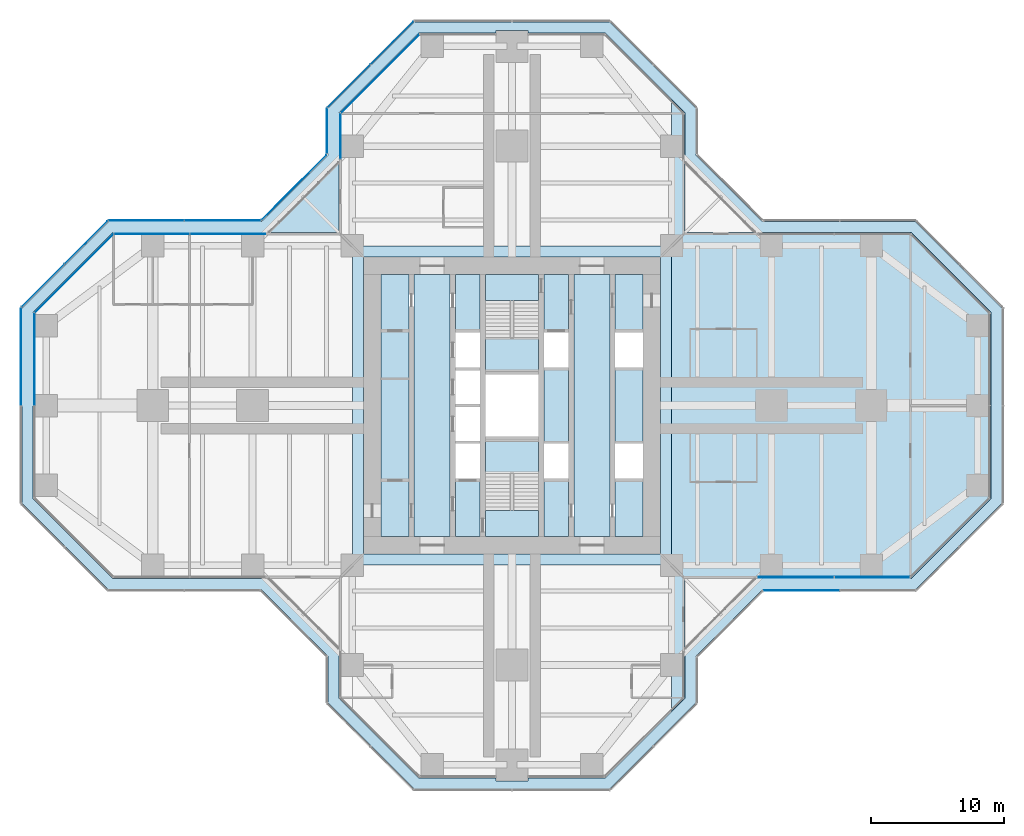
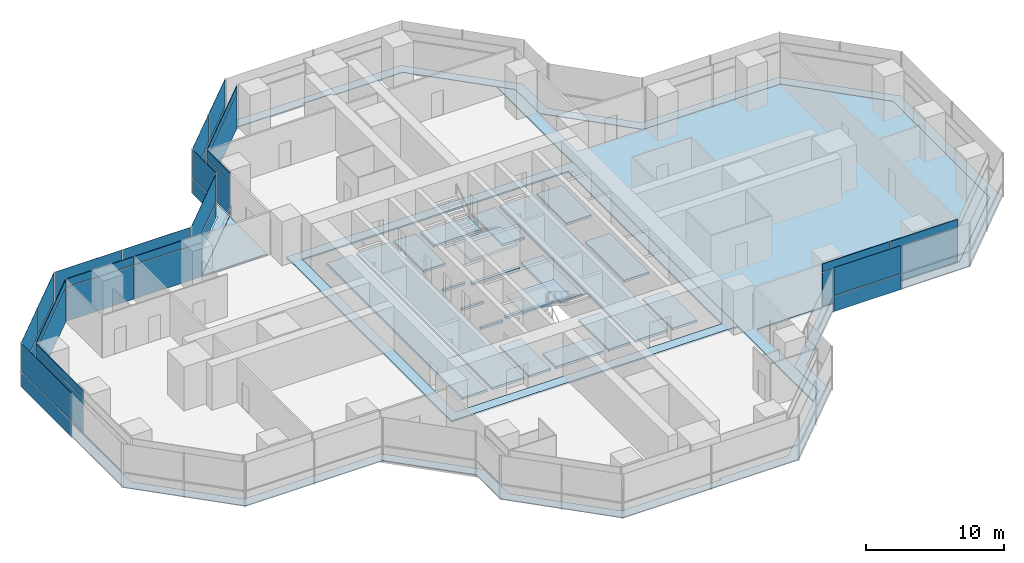
# One storey, part 13 of 19: 37 plates, 8 slabs, 15 elements without a shape of their own.
"""IFC4 building model written with IfcOpenShell, lengths in metres."""

from ifc_helpers import new_model, si_unit, direction, frame, origin, origin_2d, place, context, subcontext, project, spatial, polyline, rectangle, outline, extrude, material, layer, layer_set, type_object, element, aggregate, save


model = new_model("IFC4")

# Units and contexts
model_context = context("Model", 3, precision=1e-05, world=origin(), true_north=direction((0.0, 1.0)))
body_context = subcontext(model_context, "Body", "Model", "MODEL_VIEW")
ifc_project = project(units=[si_unit("LENGTHUNIT", "METRE"), si_unit("AREAUNIT", "SQUARE_METRE"), si_unit("VOLUMEUNIT", "CUBIC_METRE"), si_unit("PLANEANGLEUNIT", "RADIAN"), si_unit("MASSUNIT", "GRAM", prefix="KILO")], contexts=[model_context])

# Site, building, storey
site_placement = place(None, origin())
site = spatial("IfcSite", under=ifc_project, at=site_placement, CompositionType="ELEMENT")
building_placement = place(site_placement, origin())
building = spatial("IfcBuilding", under=site, at=building_placement, Name="Mizan Broadcast Tower", CompositionType="ELEMENT")
storey_placement = place(building_placement, frame((0.0, 0.0, 159.300048828125)))
storey = spatial("IfcBuildingStorey", under=building, at=storey_placement, Name="L36", CompositionType="ELEMENT", Elevation=159.300048828125)

# Plate
ifc_material_1 = material(Name="Aluminium grating", Category="aluminium")
ifc_layer_1 = layer(ifc_material_1, 0.050048828125)
ifc_layer_set_1 = layer_set([ifc_layer_1], Name="Aluminium grating")
plate_type_1 = type_object("IfcPlateType", Name="CAVITY GRATING", PredefinedType="USERDEFINED", material=ifc_layer_set_1)
plate_1_placement = place(storey_placement, frame((0.0, 0.0, -0.050048828125)))
element("IfcPlate", 1, at=plate_1_placement, inside=storey, type_object=plate_type_1, Name="Cavity grating L36", ObjectType="GRATING", PredefinedType="USERDEFINED", context=body_context, shape_type="SweptSolid", body=[
    extrude(outline(polyline([(13.820068359375, -18.839599609375), (18.839599609375, -13.820068359375), (30.339599609375, -13.820068359375), (36.820068359375, -7.339599609375), (36.820068359375, 7.339599609375), (30.339599609375, 13.820068359375), (18.839599609375, 13.820068359375), (13.820068359375, 18.839599609375), (13.820068359375, 22.339599609375), (7.339599609375, 28.820068359375), (-7.339599609375, 28.820068359375), (-13.820068359375, 22.339599609375), (-13.820068359375, 18.839599609375), (-18.839599609375, 13.820068359375), (-30.339599609375, 13.820068359375), (-36.820068359375, 7.339599609375), (-36.820068359375, -7.339599609375), (-30.339599609375, -13.820068359375), (-18.839599609375, -13.820068359375), (-13.820068359375, -18.839599609375), (-13.820068359375, -22.339599609375), (-7.339599609375, -28.820068359375), (7.339599609375, -28.820068359375), (13.820068359375, -22.339599609375), (13.820068359375, -18.839599609375)]), holes=[polyline([(36.0, 7.0), (36.0, -7.0), (30.0, -13.0), (18.5, -13.0), (13.0, -18.5), (13.0, -22.0), (7.0, -28.0), (1.199951171875, -28.0), (1.199951171875, -28.199951171875), (-1.199951171875, -28.199951171875), (-1.199951171875, -28.0), (-7.0, -28.0), (-13.0, -22.0), (-13.0, -18.5), (-18.5, -13.0), (-30.0, -13.0), (-36.0, -7.0), (-36.0, 7.0), (-30.0, 13.0), (-18.5, 13.0), (-13.0, 18.5), (-13.0, 22.0), (-7.0, 28.0), (-1.199951171875, 28.0), (-1.199951171875, 28.199951171875), (1.199951171875, 28.199951171875), (1.199951171875, 28.0), (7.0, 28.0), (13.0, 22.0), (13.0, 18.5), (18.5, 13.0), (30.0, 13.0), (36.0, 7.0)])]), origin(), (0.0, 0.0, 1.0), 0.050048828125),
])

# Slabs
ifc_material_2 = material(Name="Concrete C32/40", Category="concrete")
ifc_layer_2 = layer(ifc_material_2, 0.1298828125)
ifc_layer_set_2 = layer_set([ifc_layer_2], Name="Concrete C32/40")
slab_type_1 = type_object("IfcSlabType", Name="COMPOSITE DECK SLAB 130", PredefinedType="FLOOR", material=ifc_layer_set_2)
slab_1_placement = place(storey_placement, frame((0.0, 0.0, -0.130126953125)))
element("IfcSlab", 2, at=slab_1_placement, inside=storey, type_object=slab_type_1, Name="Floor slab L36 centre", PredefinedType="FLOOR", context=body_context, shape_type="SweptSolid", body=[
    extrude(outline(polyline([(-12.0, -12.0), (12.0, -12.0), (12.0, 12.0), (-12.0, 12.0), (-12.0, -12.0)]), holes=[polyline([(-11.14990234375, 11.14990234375), (11.14990234375, 11.14990234375), (11.14990234375, -11.14990234375), (-11.14990234375, -11.14990234375), (-11.14990234375, 11.14990234375)])]), origin(), (0.0, 0.0, 1.0), 0.130126953125),
])
slab_2_placement = place(storey_placement, frame((0.0, 0.0, -0.130126953125)))
element("IfcSlab", 3, at=slab_2_placement, inside=storey, type_object=slab_type_1, Name="Floor slab L36 east arm", PredefinedType="FLOOR", context=body_context, shape_type="SweptSolid", body=[
    extrude(outline(polyline([(12.0, -23.0), (13.0, -22.0), (13.0, -13.0), (30.0, -13.0), (36.0, -7.0), (36.0, 7.0), (30.0, 13.0), (13.0, 13.0), (13.0, 22.0), (12.0, 23.0), (12.0, -23.0)])), origin(), (0.0, 0.0, 1.0), 0.130126953125),
])
ifc_material_3 = material(Name="Concrete C40/50", Category="concrete")
ifc_layer_3 = layer(ifc_material_3, 0.199951171875)
ifc_layer_set_3 = layer_set([ifc_layer_3], Name="Concrete C40/50")
slab_type_2 = type_object("IfcSlabType", Name="CORE FLOOR 200", PredefinedType="FLOOR", material=ifc_layer_set_3)
slab_3_placement = place(storey_placement, frame((0.0, 0.0, -0.199951171875)))
element("IfcSlab", 4, at=slab_3_placement, inside=storey, type_object=slab_type_2, Name="Core floor L36", PredefinedType="FLOOR", context=body_context, shape_type="SweptSolid", body=[
    extrude(outline(polyline([(-9.85009765625, -9.85009765625), (-7.75, -9.85009765625), (-7.75, 9.85009765625), (-9.85009765625, 9.85009765625), (-9.85009765625, -9.85009765625)])), origin(), (0.0, 0.0, 1.0), 0.199951171875),
    extrude(outline(polyline([(-4.64990234375, 9.85009765625), (-7.35009765625, 9.85009765625), (-7.35009765625, -9.85009765625), (-4.64990234375, -9.85009765625), (-4.64990234375, 9.85009765625)])), origin(), (0.0, 0.0, 1.0), 0.199951171875),
    extrude(outline(polyline([(-4.25, -5.5), (-4.25, -9.85009765625), (-2.39990234375, -9.85009765625), (-2.39990234375, -5.5), (-4.25, -5.5)])), origin(), (0.0, 0.0, 1.0), 0.199951171875),
    extrude(outline(polyline([(-4.25, -2.85009765625), (-2.39990234375, -2.85009765625), (-2.39990234375, -2.64990234375), (-4.25, -2.64990234375), (-4.25, -2.85009765625)])), origin(), (0.0, 0.0, 1.0), 0.199951171875),
    extrude(outline(polyline([(-4.25, -0.10009765625), (-2.39990234375, -0.10009765625), (-2.39990234375, 0.10009765625), (-4.25, 0.10009765625), (-4.25, -0.10009765625)])), origin(), (0.0, 0.0, 1.0), 0.199951171875),
    extrude(outline(polyline([(-4.25, 2.64990234375), (-2.39990234375, 2.64990234375), (-2.39990234375, 2.85009765625), (-4.25, 2.85009765625), (-4.25, 2.64990234375)])), origin(), (0.0, 0.0, 1.0), 0.199951171875),
    extrude(outline(polyline([(-4.25, 5.5), (-2.39990234375, 5.5), (-2.39990234375, 9.85009765625), (-4.25, 9.85009765625), (-4.25, 5.5)])), origin(), (0.0, 0.0, 1.0), 0.199951171875),
    extrude(outline(polyline([(2.0, -2.324951171875), (-2.0, -2.324951171875), (-2.0, -2.574951171875), (2.0, -2.574951171875), (2.0, -2.324951171875)])), origin(), (0.0, 0.0, 1.0), 0.199951171875),
    extrude(outline(polyline([(2.0, 2.574951171875), (-2.0, 2.574951171875), (-2.0, 2.324951171875), (2.0, 2.324951171875), (2.0, 2.574951171875)])), origin(), (0.0, 0.0, 1.0), 0.199951171875),
    extrude(outline(polyline([(4.25, -9.85009765625), (4.25, -5.5), (2.39990234375, -5.5), (2.39990234375, -9.85009765625), (4.25, -9.85009765625)])), origin(), (0.0, 0.0, 1.0), 0.199951171875),
    extrude(outline(polyline([(4.25, -2.85009765625), (4.25, 2.85009765625), (2.39990234375, 2.85009765625), (2.39990234375, -2.85009765625), (4.25, -2.85009765625)])), origin(), (0.0, 0.0, 1.0), 0.199951171875),
    extrude(outline(polyline([(4.25, 5.5), (4.25, 9.85009765625), (2.39990234375, 9.85009765625), (2.39990234375, 5.5), (4.25, 5.5)])), origin(), (0.0, 0.0, 1.0), 0.199951171875),
    extrude(outline(polyline([(4.64990234375, 9.85009765625), (4.64990234375, -9.85009765625), (7.35009765625, -9.85009765625), (7.35009765625, 9.85009765625), (4.64990234375, 9.85009765625)])), origin(), (0.0, 0.0, 1.0), 0.199951171875),
    extrude(outline(polyline([(9.85009765625, -9.85009765625), (9.85009765625, -5.5), (7.75, -5.5), (7.75, -9.85009765625), (9.85009765625, -9.85009765625)])), origin(), (0.0, 0.0, 1.0), 0.199951171875),
    extrude(outline(polyline([(7.75, -2.85009765625), (9.85009765625, -2.85009765625), (9.85009765625, 2.85009765625), (7.75, 2.85009765625), (7.75, -2.85009765625)])), origin(), (0.0, 0.0, 1.0), 0.199951171875),
    extrude(outline(polyline([(9.85009765625, 5.5), (9.85009765625, 9.85009765625), (7.75, 9.85009765625), (7.75, 5.5), (9.85009765625, 5.5)])), origin(), (0.0, 0.0, 1.0), 0.199951171875),
])

# Curtain wall, plates
ifc_material_4 = material(Name="Aluminium framed glazing", Category="aluminium")
curtain_wall_type_1 = type_object("IfcCurtainWallType", Name="INNER SKIN MID ZONE", PredefinedType="USERDEFINED", material=ifc_material_4)
curtain_wall_1_placement = place(storey_placement, origin())
curtain_wall_1 = element("IfcCurtainWall", 5, at=curtain_wall_1_placement, inside=storey, type_object=curtain_wall_type_1, Name="Inner skin mid zone L36 E side", ObjectType="INNER SKIN MID ZONE", PredefinedType="USERDEFINED")
ifc_material_5 = material(Name="Double glazing, clear low-e", Category="glass")
ifc_layer_4 = layer(ifc_material_5, 0.028076171875)
ifc_layer_set_4 = layer_set([ifc_layer_4], Name="Double glazing, clear low-e")
plate_type_2 = type_object("IfcPlateType", Name="INNER SKIN GLAZING UNIT", PredefinedType="CURTAIN_PANEL", material=ifc_layer_set_4)
plate_2_placement = place(storey_placement, frame((21.379638671875, -12.89990234375, 0.0), z_axis=(0.0, 0.0, 1.0), x_axis=(1.0, 0.0, 0.0)))
plate_2 = element("IfcPlate", 6, at=plate_2_placement, type_object=plate_type_2, Name="Inner skin mid zone L36 E side panel 1.1", PredefinedType="CURTAIN_PANEL", context=body_context, shape_type="SweptSolid", body=[
    extrude(rectangle(XDim=5.639404296875, YDim=0.028076171875, at=origin_2d()), origin(), (0.0, 0.0, 1.0), 3.0),
])
plate_3_placement = place(storey_placement, frame((27.078857421875, -12.89990234375, 0.0), z_axis=(0.0, 0.0, 1.0), x_axis=(1.0, 0.0, 0.0)))
plate_3 = element("IfcPlate", 7, at=plate_3_placement, type_object=plate_type_2, Name="Inner skin mid zone L36 E side panel 2.1", PredefinedType="CURTAIN_PANEL", context=body_context, shape_type="SweptSolid", body=[
    extrude(rectangle(XDim=5.639404296875, YDim=0.028076171875, at=origin_2d()), origin(), (0.0, 0.0, 1.0), 3.0),
])

# Curtain wall, plate
curtain_wall_2_placement = place(storey_placement, origin())
curtain_wall_2 = element("IfcCurtainWall", 8, at=curtain_wall_2_placement, inside=storey, type_object=curtain_wall_type_1, Name="Inner skin mid zone L36 N chamfer", ObjectType="INNER SKIN MID ZONE", PredefinedType="USERDEFINED")
plate_4_placement = place(storey_placement, frame((-9.92919921875, 24.92919921875, 0.0), z_axis=(0.0, 0.0, 1.0), x_axis=(-0.707106781187, -0.707106781187, 0.0)))
plate_4 = element("IfcPlate", 9, at=plate_4_placement, type_object=plate_type_2, Name="Inner skin mid zone L36 N chamfer panel 1.1", PredefinedType="CURTAIN_PANEL", context=body_context, shape_type="SweptSolid", body=[
    extrude(rectangle(XDim=8.282470703125, YDim=0.028076171875, at=origin_2d()), origin(), (0.0, 0.0, 1.0), 3.0),
])

curtain_wall_3_placement = place(storey_placement, origin())
curtain_wall_3 = element("IfcCurtainWall", 10, at=curtain_wall_3_placement, inside=storey, type_object=curtain_wall_type_1, Name="Inner skin mid zone L36 N side", ObjectType="INNER SKIN MID ZONE", PredefinedType="USERDEFINED")
plate_5_placement = place(storey_placement, frame((-12.89990234375, 20.229248046875, 0.0), z_axis=(0.0, 0.0, 1.0), x_axis=(0.0, -1.0, 0.0)))
plate_5 = element("IfcPlate", 11, at=plate_5_placement, type_object=plate_type_2, Name="Inner skin mid zone L36 N side panel 1.1", PredefinedType="CURTAIN_PANEL", context=body_context, shape_type="SweptSolid", body=[
    extrude(rectangle(XDim=3.338623046875, YDim=0.028076171875, at=origin_2d()), origin(), (0.0, 0.0, 1.0), 3.0),
])

# Curtain wall, plates
curtain_wall_4_placement = place(storey_placement, origin())
curtain_wall_4 = element("IfcCurtainWall", 12, at=curtain_wall_4_placement, inside=storey, type_object=curtain_wall_type_1, Name="Inner skin mid zone L36 W side", ObjectType="INNER SKIN MID ZONE", PredefinedType="USERDEFINED")
plate_6_placement = place(storey_placement, frame((-21.379638671875, 12.89990234375, 0.0), z_axis=(0.0, 0.0, 1.0), x_axis=(-1.0, 0.0, 0.0)))
plate_6 = element("IfcPlate", 13, at=plate_6_placement, type_object=plate_type_2, Name="Inner skin mid zone L36 W side panel 1.1", PredefinedType="CURTAIN_PANEL", context=body_context, shape_type="SweptSolid", body=[
    extrude(rectangle(XDim=5.639404296875, YDim=0.028076171875, at=origin_2d()), origin(), (0.0, 0.0, 1.0), 3.0),
])
plate_7_placement = place(storey_placement, frame((-27.078857421875, 12.89990234375, 0.0), z_axis=(0.0, 0.0, 1.0), x_axis=(-1.0, 0.0, 0.0)))
plate_7 = element("IfcPlate", 14, at=plate_7_placement, type_object=plate_type_2, Name="Inner skin mid zone L36 W side panel 2.1", PredefinedType="CURTAIN_PANEL", context=body_context, shape_type="SweptSolid", body=[
    extrude(rectangle(XDim=5.639404296875, YDim=0.028076171875, at=origin_2d()), origin(), (0.0, 0.0, 1.0), 3.0),
])

# Curtain wall, plate
curtain_wall_5_placement = place(storey_placement, origin())
curtain_wall_5 = element("IfcCurtainWall", 15, at=curtain_wall_5_placement, inside=storey, type_object=curtain_wall_type_1, Name="Inner skin mid zone L36 W chamfer", ObjectType="INNER SKIN MID ZONE", PredefinedType="USERDEFINED")
plate_8_placement = place(storey_placement, frame((-32.92919921875, 9.92919921875, 0.0), z_axis=(0.0, 0.0, 1.0), x_axis=(-0.707106781187, -0.707106781187, 0.0)))
plate_8 = element("IfcPlate", 16, at=plate_8_placement, type_object=plate_type_2, Name="Inner skin mid zone L36 W chamfer panel 1.1", PredefinedType="CURTAIN_PANEL", context=body_context, shape_type="SweptSolid", body=[
    extrude(rectangle(XDim=8.282470703125, YDim=0.028076171875, at=origin_2d()), origin(), (0.0, 0.0, 1.0), 3.0),
])

curtain_wall_6_placement = place(storey_placement, origin())
curtain_wall_6 = element("IfcCurtainWall", 17, at=curtain_wall_6_placement, inside=storey, type_object=curtain_wall_type_1, Name="Inner skin mid zone L36 W end", ObjectType="INNER SKIN MID ZONE", PredefinedType="USERDEFINED")
plate_9_placement = place(storey_placement, frame((-35.89990234375, 3.46435546875, 0.0), z_axis=(0.0, 0.0, 1.0), x_axis=(0.0, -1.0, 0.0)))
plate_9 = element("IfcPlate", 18, at=plate_9_placement, type_object=plate_type_2, Name="Inner skin mid zone L36 W end panel 1.1", PredefinedType="CURTAIN_PANEL", context=body_context, shape_type="SweptSolid", body=[
    extrude(rectangle(XDim=6.86865234375, YDim=0.028076171875, at=origin_2d()), origin(), (0.0, 0.0, 1.0), 3.0),
])

# Plate
ifc_material_6 = material(Name="Insulated aluminium spandrel panel, pale anodised", Category="aluminium")
ifc_layer_5 = layer(ifc_material_6, 0.050048828125)
ifc_layer_set_5 = layer_set([ifc_layer_5], Name="Insulated aluminium spandrel panel, pale anodised")
plate_type_3 = type_object("IfcPlateType", Name="INNER SKIN SPANDREL PANEL", PredefinedType="CURTAIN_PANEL", material=ifc_layer_set_5)
plate_10_placement = place(storey_placement, frame((21.379638671875, -12.89990234375, 3.06005859375), z_axis=(0.0, 0.0, 1.0), x_axis=(1.0, 0.0, 0.0)))
plate_10 = element("IfcPlate", 19, at=plate_10_placement, type_object=plate_type_3, Name="Inner skin mid zone L36 E side panel 1.2", PredefinedType="CURTAIN_PANEL", context=body_context, shape_type="SweptSolid", body=[
    extrude(rectangle(XDim=5.639404296875, YDim=0.050048828125, at=origin_2d()), origin(), (0.0, 0.0, 1.0), 0.7099609375),
])

plate_11_placement = place(storey_placement, frame((27.078857421875, -12.89990234375, 3.06005859375), z_axis=(0.0, 0.0, 1.0), x_axis=(1.0, 0.0, 0.0)))
plate_11 = element("IfcPlate", 20, at=plate_11_placement, type_object=plate_type_3, Name="Inner skin mid zone L36 E side panel 2.2", PredefinedType="CURTAIN_PANEL", context=body_context, shape_type="SweptSolid", body=[
    extrude(rectangle(XDim=5.639404296875, YDim=0.050048828125, at=origin_2d()), origin(), (0.0, 0.0, 1.0), 0.7099609375),
])

aggregate(curtain_wall_1, [plate_2, plate_10, plate_3, plate_11])

plate_12_placement = place(storey_placement, frame((-9.92919921875, 24.92919921875, 3.06005859375), z_axis=(0.0, 0.0, 1.0), x_axis=(-0.707106781187, -0.707106781187, 0.0)))
plate_12 = element("IfcPlate", 21, at=plate_12_placement, type_object=plate_type_3, Name="Inner skin mid zone L36 N chamfer panel 1.2", PredefinedType="CURTAIN_PANEL", context=body_context, shape_type="SweptSolid", body=[
    extrude(rectangle(XDim=8.282470703125, YDim=0.050048828125, at=origin_2d()), origin(), (0.0, 0.0, 1.0), 0.7099609375),
])

aggregate(curtain_wall_2, [plate_4, plate_12])

plate_13_placement = place(storey_placement, frame((-12.89990234375, 20.229248046875, 3.06005859375), z_axis=(0.0, 0.0, 1.0), x_axis=(0.0, -1.0, 0.0)))
plate_13 = element("IfcPlate", 22, at=plate_13_placement, type_object=plate_type_3, Name="Inner skin mid zone L36 N side panel 1.2", PredefinedType="CURTAIN_PANEL", context=body_context, shape_type="SweptSolid", body=[
    extrude(rectangle(XDim=3.338623046875, YDim=0.050048828125, at=origin_2d()), origin(), (0.0, 0.0, 1.0), 0.7099609375),
])

aggregate(curtain_wall_3, [plate_5, plate_13])

plate_14_placement = place(storey_placement, frame((-21.379638671875, 12.89990234375, 3.06005859375), z_axis=(0.0, 0.0, 1.0), x_axis=(-1.0, 0.0, 0.0)))
plate_14 = element("IfcPlate", 23, at=plate_14_placement, type_object=plate_type_3, Name="Inner skin mid zone L36 W side panel 1.2", PredefinedType="CURTAIN_PANEL", context=body_context, shape_type="SweptSolid", body=[
    extrude(rectangle(XDim=5.639404296875, YDim=0.050048828125, at=origin_2d()), origin(), (0.0, 0.0, 1.0), 0.7099609375),
])

plate_15_placement = place(storey_placement, frame((-27.078857421875, 12.89990234375, 3.06005859375), z_axis=(0.0, 0.0, 1.0), x_axis=(-1.0, 0.0, 0.0)))
plate_15 = element("IfcPlate", 24, at=plate_15_placement, type_object=plate_type_3, Name="Inner skin mid zone L36 W side panel 2.2", PredefinedType="CURTAIN_PANEL", context=body_context, shape_type="SweptSolid", body=[
    extrude(rectangle(XDim=5.639404296875, YDim=0.050048828125, at=origin_2d()), origin(), (0.0, 0.0, 1.0), 0.7099609375),
])

aggregate(curtain_wall_4, [plate_6, plate_14, plate_7, plate_15])

plate_16_placement = place(storey_placement, frame((-32.92919921875, 9.92919921875, 3.06005859375), z_axis=(0.0, 0.0, 1.0), x_axis=(-0.707106781187, -0.707106781187, 0.0)))
plate_16 = element("IfcPlate", 25, at=plate_16_placement, type_object=plate_type_3, Name="Inner skin mid zone L36 W chamfer panel 1.2", PredefinedType="CURTAIN_PANEL", context=body_context, shape_type="SweptSolid", body=[
    extrude(rectangle(XDim=8.282470703125, YDim=0.050048828125, at=origin_2d()), origin(), (0.0, 0.0, 1.0), 0.7099609375),
])

aggregate(curtain_wall_5, [plate_8, plate_16])

plate_17_placement = place(storey_placement, frame((-35.89990234375, 3.46435546875, 3.06005859375), z_axis=(0.0, 0.0, 1.0), x_axis=(0.0, -1.0, 0.0)))
plate_17 = element("IfcPlate", 26, at=plate_17_placement, type_object=plate_type_3, Name="Inner skin mid zone L36 W end panel 1.2", PredefinedType="CURTAIN_PANEL", context=body_context, shape_type="SweptSolid", body=[
    extrude(rectangle(XDim=6.86865234375, YDim=0.050048828125, at=origin_2d()), origin(), (0.0, 0.0, 1.0), 0.7099609375),
])

aggregate(curtain_wall_6, [plate_9, plate_17])

# Curtain wall, plates
ifc_material_7 = material(Name="Aluminium framed glazing", Category="aluminium")
curtain_wall_type_2 = type_object("IfcCurtainWallType", Name="OUTER SKIN", PredefinedType="USERDEFINED", material=ifc_material_7)
curtain_wall_7_placement = place(storey_placement, origin())
curtain_wall_7 = element("IfcCurtainWall", 27, at=curtain_wall_7_placement, inside=storey, type_object=curtain_wall_type_2, Name="Outer skin L36 N chamfer", ObjectType="OUTER SKIN", PredefinedType="USERDEFINED")
ifc_material_8 = material(Name="Laminated clear glass", Category="glass")
ifc_layer_6 = layer(ifc_material_8, 0.02001953125)
ifc_layer_set_6 = layer_set([ifc_layer_6], Name="Laminated clear glass")
plate_type_4 = type_object("IfcPlateType", Name="OUTER SKIN CLEAR GLASS", PredefinedType="CURTAIN_PANEL", material=ifc_layer_set_6)
plate_18_placement = place(storey_placement, frame((-9.018798828125, 27.254150390625, 0.0), z_axis=(0.0, 0.0, 1.0), x_axis=(-0.707106781187, -0.707106781187, 0.0)))
plate_18 = element("IfcPlate", 28, at=plate_18_placement, type_object=plate_type_4, Name="Outer skin L36 N chamfer panel 1.1", PredefinedType="CURTAIN_PANEL", context=body_context, shape_type="SweptSolid", body=[
    extrude(rectangle(XDim=4.495361328125, YDim=0.02001953125, at=origin_2d()), origin(), (0.0, 0.0, 1.0), 1.3701171875),
])
plate_19_placement = place(storey_placement, frame((-9.018798828125, 27.254150390625, 1.43017578125), z_axis=(0.0, 0.0, 1.0), x_axis=(-0.707106781187, -0.707106781187, 0.0)))
plate_19 = element("IfcPlate", 29, at=plate_19_placement, type_object=plate_type_4, Name="Outer skin L36 N chamfer panel 1.2", PredefinedType="CURTAIN_PANEL", context=body_context, shape_type="SweptSolid", body=[
    extrude(rectangle(XDim=4.495361328125, YDim=0.02001953125, at=origin_2d()), origin(), (0.0, 0.0, 1.0), 2.469970703125),
])

curtain_wall_8_placement = place(storey_placement, origin())
curtain_wall_8 = element("IfcCurtainWall", 30, at=curtain_wall_8_placement, inside=storey, type_object=curtain_wall_type_2, Name="Outer skin L36 N side", ObjectType="OUTER SKIN", PredefinedType="USERDEFINED")
plate_20_placement = place(storey_placement, frame((-13.89990234375, 20.622802734375, 0.0), z_axis=(0.0, 0.0, 1.0), x_axis=(0.0, -1.0, 0.0)))
plate_20 = element("IfcPlate", 31, at=plate_20_placement, type_object=plate_type_4, Name="Outer skin L36 N side panel 1.1", PredefinedType="CURTAIN_PANEL", context=body_context, shape_type="SweptSolid", body=[
    extrude(rectangle(XDim=3.340087890625, YDim=0.02001953125, at=origin_2d()), origin(), (0.0, 0.0, 1.0), 1.3701171875),
])
plate_21_placement = place(storey_placement, frame((-13.89990234375, 20.622802734375, 1.43017578125), z_axis=(0.0, 0.0, 1.0), x_axis=(0.0, -1.0, 0.0)))
plate_21 = element("IfcPlate", 32, at=plate_21_placement, type_object=plate_type_4, Name="Outer skin L36 N side panel 1.2", PredefinedType="CURTAIN_PANEL", context=body_context, shape_type="SweptSolid", body=[
    extrude(rectangle(XDim=3.340087890625, YDim=0.02001953125, at=origin_2d()), origin(), (0.0, 0.0, 1.0), 2.469970703125),
])
aggregate(curtain_wall_8, [plate_20, plate_21])

curtain_wall_9_placement = place(storey_placement, origin())
curtain_wall_9 = element("IfcCurtainWall", 33, at=curtain_wall_9_placement, inside=storey, type_object=curtain_wall_type_2, Name="Outer skin L36 W chamfer", ObjectType="OUTER SKIN", PredefinedType="USERDEFINED")
plate_22_placement = place(storey_placement, frame((-16.386474609375, 16.386474609375, 0.0), z_axis=(0.0, 0.0, 1.0), x_axis=(-0.707106781187, -0.707106781187, 0.0)))
plate_22 = element("IfcPlate", 34, at=plate_22_placement, type_object=plate_type_4, Name="Outer skin L36 W chamfer panel 1.1", PredefinedType="CURTAIN_PANEL", context=body_context, shape_type="SweptSolid", body=[
    extrude(rectangle(XDim=6.87255859375, YDim=0.02001953125, at=origin_2d()), origin(), (0.0, 0.0, 1.0), 1.3701171875),
])
plate_23_placement = place(storey_placement, frame((-16.386474609375, 16.386474609375, 1.43017578125), z_axis=(0.0, 0.0, 1.0), x_axis=(-0.707106781187, -0.707106781187, 0.0)))
plate_23 = element("IfcPlate", 35, at=plate_23_placement, type_object=plate_type_4, Name="Outer skin L36 W chamfer panel 1.2", PredefinedType="CURTAIN_PANEL", context=body_context, shape_type="SweptSolid", body=[
    extrude(rectangle(XDim=6.87255859375, YDim=0.02001953125, at=origin_2d()), origin(), (0.0, 0.0, 1.0), 2.469970703125),
])
aggregate(curtain_wall_9, [plate_22, plate_23])

curtain_wall_10_placement = place(storey_placement, origin())
curtain_wall_10 = element("IfcCurtainWall", 36, at=curtain_wall_10_placement, inside=storey, type_object=curtain_wall_type_2, Name="Outer skin L36 W side", ObjectType="OUTER SKIN", PredefinedType="USERDEFINED")
plate_24_placement = place(storey_placement, frame((-21.767822265625, 13.89990234375, 0.0), z_axis=(0.0, 0.0, 1.0), x_axis=(-1.0, 0.0, 0.0)))
plate_24 = element("IfcPlate", 37, at=plate_24_placement, type_object=plate_type_4, Name="Outer skin L36 W side panel 1.1", PredefinedType="CURTAIN_PANEL", context=body_context, shape_type="SweptSolid", body=[
    extrude(rectangle(XDim=5.6298828125, YDim=0.02001953125, at=origin_2d()), origin(), (0.0, 0.0, 1.0), 1.3701171875),
])
plate_25_placement = place(storey_placement, frame((-21.767822265625, 13.89990234375, 1.43017578125), z_axis=(0.0, 0.0, 1.0), x_axis=(-1.0, 0.0, 0.0)))
plate_25 = element("IfcPlate", 38, at=plate_25_placement, type_object=plate_type_4, Name="Outer skin L36 W side panel 1.2", PredefinedType="CURTAIN_PANEL", context=body_context, shape_type="SweptSolid", body=[
    extrude(rectangle(XDim=5.6298828125, YDim=0.02001953125, at=origin_2d()), origin(), (0.0, 0.0, 1.0), 2.469970703125),
])
plate_26_placement = place(storey_placement, frame((-27.477783203125, 13.89990234375, 0.0), z_axis=(0.0, 0.0, 1.0), x_axis=(-1.0, 0.0, 0.0)))
plate_26 = element("IfcPlate", 39, at=plate_26_placement, type_object=plate_type_4, Name="Outer skin L36 W side panel 2.1", PredefinedType="CURTAIN_PANEL", context=body_context, shape_type="SweptSolid", body=[
    extrude(rectangle(XDim=5.6298828125, YDim=0.02001953125, at=origin_2d()), origin(), (0.0, 0.0, 1.0), 1.3701171875),
])
plate_27_placement = place(storey_placement, frame((-27.477783203125, 13.89990234375, 1.43017578125), z_axis=(0.0, 0.0, 1.0), x_axis=(-1.0, 0.0, 0.0)))
plate_27 = element("IfcPlate", 40, at=plate_27_placement, type_object=plate_type_4, Name="Outer skin L36 W side panel 2.2", PredefinedType="CURTAIN_PANEL", context=body_context, shape_type="SweptSolid", body=[
    extrude(rectangle(XDim=5.6298828125, YDim=0.02001953125, at=origin_2d()), origin(), (0.0, 0.0, 1.0), 2.469970703125),
])
aggregate(curtain_wall_10, [plate_24, plate_25, plate_26, plate_27])

curtain_wall_11_placement = place(storey_placement, origin())
curtain_wall_11 = element("IfcCurtainWall", 41, at=curtain_wall_11_placement, inside=storey, type_object=curtain_wall_type_2, Name="Outer skin L36 W chamfer", ObjectType="OUTER SKIN", PredefinedType="USERDEFINED")
plate_28_placement = place(storey_placement, frame((-32.018798828125, 12.254150390625, 0.0), z_axis=(0.0, 0.0, 1.0), x_axis=(-0.707106781187, -0.707106781187, 0.0)))
plate_28 = element("IfcPlate", 42, at=plate_28_placement, type_object=plate_type_4, Name="Outer skin L36 W chamfer panel 1.1", PredefinedType="CURTAIN_PANEL", context=body_context, shape_type="SweptSolid", body=[
    extrude(rectangle(XDim=4.495361328125, YDim=0.02001953125, at=origin_2d()), origin(), (0.0, 0.0, 1.0), 1.3701171875),
])
plate_29_placement = place(storey_placement, frame((-32.018798828125, 12.254150390625, 1.43017578125), z_axis=(0.0, 0.0, 1.0), x_axis=(-0.707106781187, -0.707106781187, 0.0)))
plate_29 = element("IfcPlate", 43, at=plate_29_placement, type_object=plate_type_4, Name="Outer skin L36 W chamfer panel 1.2", PredefinedType="CURTAIN_PANEL", context=body_context, shape_type="SweptSolid", body=[
    extrude(rectangle(XDim=4.495361328125, YDim=0.02001953125, at=origin_2d()), origin(), (0.0, 0.0, 1.0), 2.469970703125),
])

curtain_wall_12_placement = place(storey_placement, origin())
curtain_wall_12 = element("IfcCurtainWall", 44, at=curtain_wall_12_placement, inside=storey, type_object=curtain_wall_type_2, Name="Outer skin L36 W end", ObjectType="OUTER SKIN", PredefinedType="USERDEFINED")
plate_30_placement = place(storey_placement, frame((-36.89990234375, 3.66650390625, 0.0), z_axis=(0.0, 0.0, 1.0), x_axis=(0.0, -1.0, 0.0)))
plate_30 = element("IfcPlate", 45, at=plate_30_placement, type_object=plate_type_4, Name="Outer skin L36 W end panel 1.1", PredefinedType="CURTAIN_PANEL", context=body_context, shape_type="SweptSolid", body=[
    extrude(rectangle(XDim=7.252685546875, YDim=0.02001953125, at=origin_2d()), origin(), (0.0, 0.0, 1.0), 1.3701171875),
])
plate_31_placement = place(storey_placement, frame((-36.89990234375, 3.66650390625, 1.43017578125), z_axis=(0.0, 0.0, 1.0), x_axis=(0.0, -1.0, 0.0)))
plate_31 = element("IfcPlate", 46, at=plate_31_placement, type_object=plate_type_4, Name="Outer skin L36 W end panel 1.2", PredefinedType="CURTAIN_PANEL", context=body_context, shape_type="SweptSolid", body=[
    extrude(rectangle(XDim=7.252685546875, YDim=0.02001953125, at=origin_2d()), origin(), (0.0, 0.0, 1.0), 2.469970703125),
])
aggregate(curtain_wall_12, [plate_30, plate_31])

curtain_wall_13_placement = place(storey_placement, origin())
curtain_wall_13 = element("IfcCurtainWall", 47, at=curtain_wall_13_placement, inside=storey, type_object=curtain_wall_type_2, Name="Outer skin L36 E side", ObjectType="OUTER SKIN", PredefinedType="USERDEFINED")
plate_32_placement = place(storey_placement, frame((21.767822265625, -13.89990234375, 0.0), z_axis=(0.0, 0.0, 1.0), x_axis=(1.0, 0.0, 0.0)))
plate_32 = element("IfcPlate", 48, at=plate_32_placement, type_object=plate_type_4, Name="Outer skin L36 E side panel 1.1", PredefinedType="CURTAIN_PANEL", context=body_context, shape_type="SweptSolid", body=[
    extrude(rectangle(XDim=5.6298828125, YDim=0.02001953125, at=origin_2d()), origin(), (0.0, 0.0, 1.0), 1.3701171875),
])
plate_33_placement = place(storey_placement, frame((21.767822265625, -13.89990234375, 1.43017578125), z_axis=(0.0, 0.0, 1.0), x_axis=(1.0, 0.0, 0.0)))
plate_33 = element("IfcPlate", 49, at=plate_33_placement, type_object=plate_type_4, Name="Outer skin L36 E side panel 1.2", PredefinedType="CURTAIN_PANEL", context=body_context, shape_type="SweptSolid", body=[
    extrude(rectangle(XDim=5.6298828125, YDim=0.02001953125, at=origin_2d()), origin(), (0.0, 0.0, 1.0), 2.469970703125),
])
aggregate(curtain_wall_13, [plate_32, plate_33])

# Plate
ifc_material_9 = material(Name="Perforated aluminium, pale anodised", Category="aluminium")
ifc_layer_7 = layer(ifc_material_9, 0.011962890625)
ifc_layer_set_7 = layer_set([ifc_layer_7], Name="Perforated aluminium, pale anodised")
plate_type_5 = type_object("IfcPlateType", Name="OUTER SKIN PERFORATED SCREEN", PredefinedType="USERDEFINED", material=ifc_layer_set_7)
plate_34_placement = place(storey_placement, frame((-12.254150390625, 24.018798828125, 0.0), z_axis=(0.0, 0.0, 1.0), x_axis=(-0.707106781187, -0.707106781187, 0.0)))
plate_34 = element("IfcPlate", 50, at=plate_34_placement, type_object=plate_type_5, Name="Outer skin L36 N chamfer panel 2.1", ObjectType="SCREEN", PredefinedType="USERDEFINED", context=body_context, shape_type="SweptSolid", body=[
    extrude(rectangle(XDim=4.495361328125, YDim=0.011962890625, at=origin_2d()), origin(), (0.0, 0.0, 1.0), 1.3701171875),
])

plate_35_placement = place(storey_placement, frame((-12.254150390625, 24.018798828125, 1.43017578125), z_axis=(0.0, 0.0, 1.0), x_axis=(-0.707106781187, -0.707106781187, 0.0)))
plate_35 = element("IfcPlate", 51, at=plate_35_placement, type_object=plate_type_5, Name="Outer skin L36 N chamfer panel 2.2", ObjectType="SCREEN", PredefinedType="USERDEFINED", context=body_context, shape_type="SweptSolid", body=[
    extrude(rectangle(XDim=4.495361328125, YDim=0.011962890625, at=origin_2d()), origin(), (0.0, 0.0, 1.0), 2.469970703125),
])

aggregate(curtain_wall_7, [plate_18, plate_19, plate_34, plate_35])

plate_36_placement = place(storey_placement, frame((-35.254150390625, 9.018798828125, 0.0), z_axis=(0.0, 0.0, 1.0), x_axis=(-0.707106781187, -0.707106781187, 0.0)))
plate_36 = element("IfcPlate", 52, at=plate_36_placement, type_object=plate_type_5, Name="Outer skin L36 W chamfer panel 2.1", ObjectType="SCREEN", PredefinedType="USERDEFINED", context=body_context, shape_type="SweptSolid", body=[
    extrude(rectangle(XDim=4.495361328125, YDim=0.011962890625, at=origin_2d()), origin(), (0.0, 0.0, 1.0), 1.3701171875),
])

plate_37_placement = place(storey_placement, frame((-35.254150390625, 9.018798828125, 1.43017578125), z_axis=(0.0, 0.0, 1.0), x_axis=(-0.707106781187, -0.707106781187, 0.0)))
plate_37 = element("IfcPlate", 53, at=plate_37_placement, type_object=plate_type_5, Name="Outer skin L36 W chamfer panel 2.2", ObjectType="SCREEN", PredefinedType="USERDEFINED", context=body_context, shape_type="SweptSolid", body=[
    extrude(rectangle(XDim=4.495361328125, YDim=0.011962890625, at=origin_2d()), origin(), (0.0, 0.0, 1.0), 2.469970703125),
])

aggregate(curtain_wall_11, [plate_28, plate_29, plate_36, plate_37])

# Stair, slabs
ifc_material_10 = material(Name="Concrete C40/50", Category="concrete")
stair_type = type_object("IfcStairType", Name="EXIT STAIR", PredefinedType="HALF_TURN_STAIR", material=ifc_material_10)
stair_1_placement = place(storey_placement, origin())
stair_1 = element("IfcStair", 54, at=stair_1_placement, inside=storey, type_object=stair_type, Name="Stair A L36", PredefinedType="HALF_TURN_STAIR")
ifc_material_11 = material(Name="Concrete C40/50", Category="concrete")
ifc_layer_8 = layer(ifc_material_11, 0.199951171875)
ifc_layer_set_8 = layer_set([ifc_layer_8], Name="Concrete C40/50")
slab_type_3 = type_object("IfcSlabType", Name="STAIR LANDING 200", PredefinedType="LANDING", material=ifc_layer_set_8)
slab_4_placement = place(storey_placement, frame((0.0, 0.0, -0.199951171875)))
slab_4 = element("IfcSlab", 55, at=slab_4_placement, type_object=slab_type_3, Name="A landing 1", PredefinedType="LANDING", context=body_context, shape_type="SweptSolid", body=[
    extrude(outline(polyline([(-2.0, -9.85009765625), (-2.0, -7.89990234375), (2.0, -7.89990234375), (2.0, -9.85009765625), (-2.0, -9.85009765625)])), origin(), (0.0, 0.0, 1.0), 0.199951171875),
])
slab_5_placement = place(storey_placement, frame((0.0, 0.0, 1.75)))
slab_5 = element("IfcSlab", 56, at=slab_5_placement, type_object=slab_type_3, Name="A landing 2", PredefinedType="LANDING", context=body_context, shape_type="SweptSolid", body=[
    extrude(outline(polyline([(-2.0, -5.10009765625), (-2.0, -2.574951171875), (2.0, -2.574951171875), (2.0, -5.10009765625), (-2.0, -5.10009765625)])), origin(), (0.0, 0.0, 1.0), 0.199951171875),
])
aggregate(stair_1, [slab_4, slab_5])

stair_2_placement = place(storey_placement, origin())
stair_2 = element("IfcStair", 57, at=stair_2_placement, inside=storey, type_object=stair_type, Name="Stair B L36", PredefinedType="HALF_TURN_STAIR")
slab_6_placement = place(storey_placement, frame((0.0, 0.0, -0.199951171875)))
slab_6 = element("IfcSlab", 58, at=slab_6_placement, type_object=slab_type_3, Name="B landing 1", PredefinedType="LANDING", context=body_context, shape_type="SweptSolid", body=[
    extrude(outline(polyline([(2.0, 9.85009765625), (2.0, 7.89990234375), (-2.0, 7.89990234375), (-2.0, 9.85009765625), (2.0, 9.85009765625)])), origin(), (0.0, 0.0, 1.0), 0.199951171875),
])
slab_7_placement = place(storey_placement, frame((0.0, 0.0, 1.75)))
slab_7 = element("IfcSlab", 59, at=slab_7_placement, type_object=slab_type_3, Name="B landing 2", PredefinedType="LANDING", context=body_context, shape_type="SweptSolid", body=[
    extrude(outline(polyline([(2.0, 5.10009765625), (2.0, 2.574951171875), (-2.0, 2.574951171875), (-2.0, 5.10009765625), (2.0, 5.10009765625)])), origin(), (0.0, 0.0, 1.0), 0.199951171875),
])
aggregate(stair_2, [slab_6, slab_7])

# Slab
ifc_material_12 = material(Name="Concrete C32/40", Category="concrete")
ifc_layer_9 = layer(ifc_material_12, 0.1298828125)
ifc_layer_set_9 = layer_set([ifc_layer_9], Name="Concrete C32/40")
slab_type_4 = type_object("IfcSlabType", Name="WINTER GARDEN SLAB 130", PredefinedType="FLOOR", material=ifc_layer_set_9)
slab_8_placement = place(storey_placement, frame((0.0, 0.0, -0.130126953125)))
element("IfcSlab", 60, at=slab_8_placement, inside=storey, type_object=slab_type_4, Name="Winter garden slab L36 N", PredefinedType="FLOOR", context=body_context, shape_type="SweptSolid", body=[
    extrude(outline(polyline([(-13.0, 13.0), (-13.0, 18.5), (-18.5, 13.0), (-13.0, 13.0)])), origin(), (0.0, 0.0, 1.0), 0.130126953125),
])

save(model, "model.ifc")
